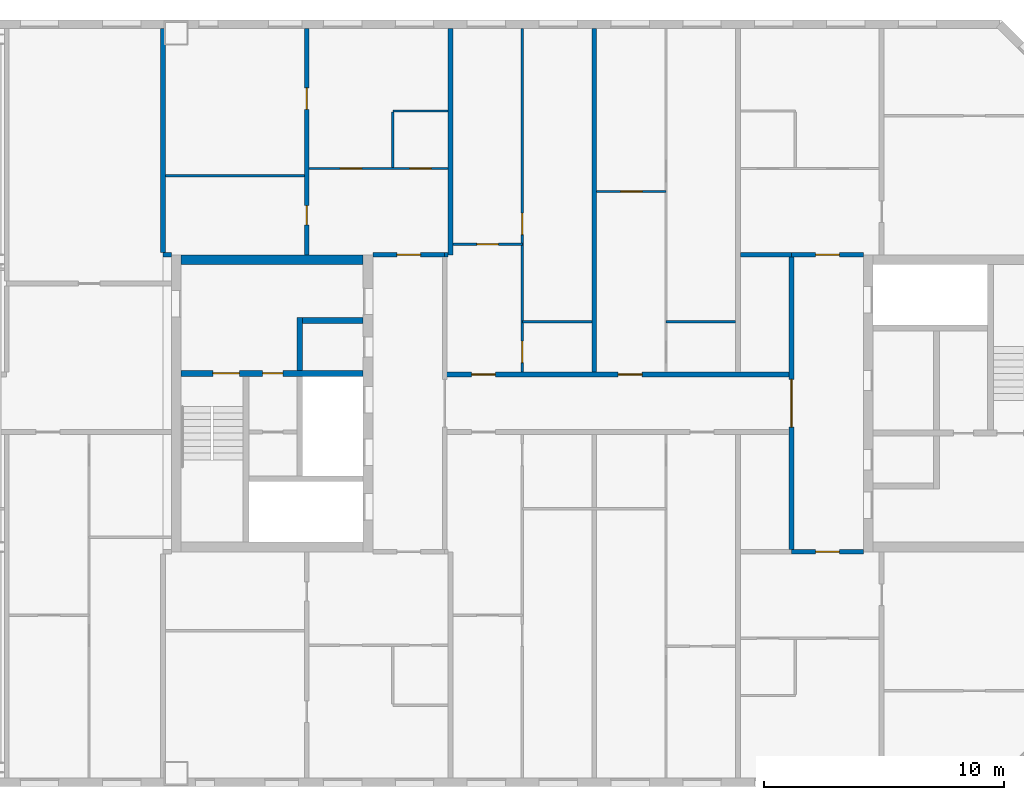
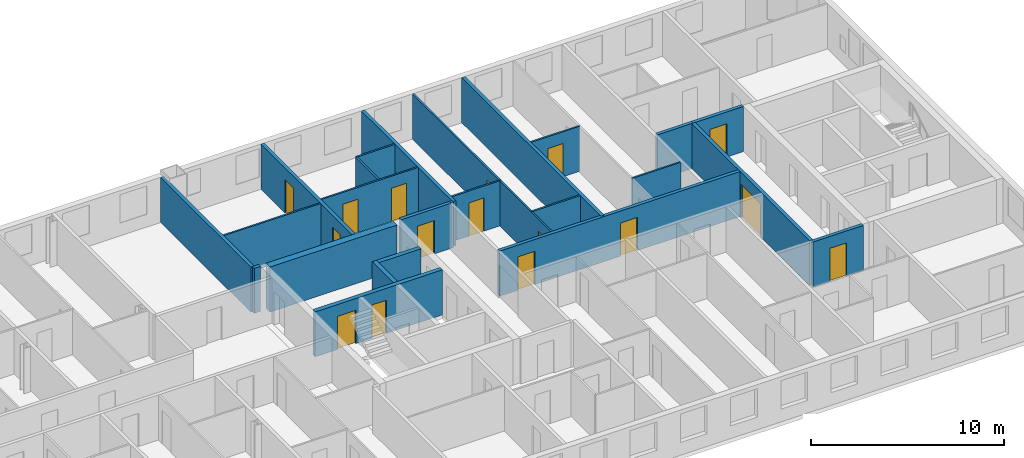
# One storey, part 15 of 19: 25 walls, 16 doors, 16 openings.
"""IFC4 building model written with IfcOpenShell, lengths in metres."""

from ifc_helpers import new_model, si_unit, direction, frame, frame_2d, origin, place, context, subcontext, project, spatial, rectangle, extrude, material, layer, layer_set, type_object, element, fill, save


model = new_model("IFC4")

# Units and contexts
model_context = context("Model", 3, precision=1e-05, world=origin(), true_north=direction((0.0, 1.0)))
body_context = subcontext(model_context, "Body", "Model", "MODEL_VIEW")
ifc_project = project(units=[si_unit("LENGTHUNIT", "METRE"), si_unit("AREAUNIT", "SQUARE_METRE"), si_unit("VOLUMEUNIT", "CUBIC_METRE"), si_unit("PLANEANGLEUNIT", "RADIAN"), si_unit("MASSUNIT", "GRAM", prefix="KILO")], contexts=[model_context])

# Site, building, storey
site_placement = place(None, origin())
site = spatial("IfcSite", under=ifc_project, at=site_placement, CompositionType="ELEMENT")
building_placement = place(site_placement, origin())
building = spatial("IfcBuilding", under=site, at=building_placement, Name="Tuart Gate Housing", CompositionType="ELEMENT")
storey_placement = place(building_placement, frame((0.0, 0.0, 205.89990234375)))
storey = spatial("IfcBuildingStorey", under=building, at=storey_placement, Name="L58", CompositionType="ELEMENT", Elevation=205.89990234375)

# Wall, openings, doors
ifc_material_1 = material(Name="Concrete C40", Category="concrete")
ifc_layer_1 = layer(ifc_material_1, 0.25)
ifc_layer_set_1 = layer_set([ifc_layer_1], Name="Core wall 250 C40")
wall_type_1 = type_object("IfcWallType", Name="Core wall 250 C40", PredefinedType="SHEAR", material=ifc_layer_set_1)
wall_1_placement = place(storey_placement, frame((139.360107421875, 71.25, 0.0), z_axis=(0.0, 0.0, 1.0), x_axis=(-1.0, 0.0, 0.0)))
wall_1 = element("IfcWall", 1, at=wall_1_placement, inside=storey, type_object=wall_type_1, Name="Core wall BG.3", PredefinedType="SHEAR", context=body_context, shape_type="SweptSolid", body=[
    extrude(rectangle(XDim=7.60009765625, YDim=0.25, at=frame_2d((3.800048828125, 0.0))), origin(), (0.0, 0.0, 1.0), 2.85009765625),
])
opening_1_placement = place(wall_1_placement, frame((5.175048828125, 0.0, 0.0)))
opening_1 = element("IfcOpeningElement", 2, at=opening_1_placement, cuts=wall_1, Name="Opening D2077", PredefinedType="OPENING", context=body_context, shape_type="SweptSolid", body=[
    extrude(rectangle(XDim=1.10009765625, YDim=2.10009765625, at=frame_2d((0.550048828125, 1.050048828125))), frame((0.0, 0.135009765625, 0.0), z_axis=(0.0, -1.0, 0.0), x_axis=(1.0, 0.0, 0.0)), (0.0, 0.0, 1.0), 0.27001953125),
])
opening_2_placement = place(wall_1_placement, frame((3.35009765625, 0.0, 0.0)))
opening_2 = element("IfcOpeningElement", 3, at=opening_2_placement, cuts=wall_1, Name="Opening D2076", PredefinedType="OPENING", context=body_context, shape_type="SweptSolid", body=[
    extrude(rectangle(XDim=0.85009765625, YDim=2.10009765625, at=frame_2d((0.425048828125, 1.050048828125))), frame((0.0, 0.135009765625, 0.0), z_axis=(0.0, -1.0, 0.0), x_axis=(1.0, 0.0, 0.0)), (0.0, 0.0, 1.0), 0.27001953125),
])
ifc_material_2 = material(Name="Steel fire door", Category="steel")
door_type_1 = type_object("IfcDoorType", Name="Riser door 850 x 2100", OperationType="SINGLE_SWING_LEFT", PredefinedType="DOOR", material=ifc_material_2)
door_1_placement = place(opening_2_placement, origin())
door_1 = element("IfcDoor", 4, at=door_1_placement, inside=storey, type_object=door_type_1, Name="Service room door BG.W1", OperationType="SINGLE_SWING_LEFT", OverallHeight=2.10009765625, OverallWidth=0.85009765625, PredefinedType="DOOR", context=body_context, shape_type="SweptSolid", body=[
    extrude(rectangle(XDim=0.85009765625, YDim=2.10009765625, at=frame_2d((0.425048828125, 1.050048828125))), frame((0.0, 0.02490234375, 0.0), z_axis=(0.0, -1.0, 0.0), x_axis=(1.0, 0.0, 0.0)), (0.0, 0.0, 1.0), 0.050048828125),
])
fill(opening_2, door_1)
ifc_material_3 = material(Name="Steel fire door", Category="steel")
door_type_2 = type_object("IfcDoorType", Name="Stair door 1100 x 2100", OperationType="SINGLE_SWING_LEFT", PredefinedType="DOOR", material=ifc_material_3)
door_2_placement = place(opening_1_placement, origin())
door_2 = element("IfcDoor", 5, at=door_2_placement, inside=storey, type_object=door_type_2, Name="Stair door BG.SD", OperationType="SINGLE_SWING_LEFT", OverallHeight=2.10009765625, OverallWidth=1.10009765625, PredefinedType="DOOR", context=body_context, shape_type="SweptSolid", body=[
    extrude(rectangle(XDim=1.10009765625, YDim=2.10009765625, at=frame_2d((0.550048828125, 1.050048828125))), frame((0.0, 0.02490234375, 0.0), z_axis=(0.0, -1.0, 0.0), x_axis=(1.0, 0.0, 0.0)), (0.0, 0.0, 1.0), 0.050048828125),
])
fill(opening_1, door_2)

# Walls
wall_2_placement = place(storey_placement, frame((139.360107421875, 73.449951171875, 0.0), z_axis=(0.0, 0.0, 1.0), x_axis=(-1.0, 0.0, 0.0)))
element("IfcWall", 6, at=wall_2_placement, inside=storey, type_object=wall_type_1, Name="Core wall BG.4", PredefinedType="SHEAR", context=body_context, shape_type="SweptSolid", body=[
    extrude(rectangle(XDim=2.525146484375, YDim=0.25, at=frame_2d((1.2626953125, 0.0))), origin(), (0.0, 0.0, 1.0), 2.85009765625),
])
wall_3_placement = place(storey_placement, frame((136.7099609375, 71.375, 0.0), z_axis=(0.0, 0.0, 1.0), x_axis=(0.0, 1.0, 0.0)))
element("IfcWall", 7, at=wall_3_placement, inside=storey, type_object=wall_type_1, Name="Core wall BG.6", PredefinedType="SHEAR", context=body_context, shape_type="SweptSolid", body=[
    extrude(rectangle(XDim=2.199951171875, YDim=0.25, at=frame_2d((1.10009765625, 0.0))), origin(), (0.0, 0.0, 1.0), 2.85009765625),
])
ifc_material_4 = material(Name="Concrete C40", Category="concrete")
ifc_layer_2 = layer(ifc_material_4, 0.39990234375)
ifc_layer_set_2 = layer_set([ifc_layer_2], Name="Core wall 400 C40")
wall_type_2 = type_object("IfcWallType", Name="Core wall 400 C40", PredefinedType="SHEAR", material=ifc_layer_set_2)
wall_4_placement = place(storey_placement, frame((139.360107421875, 76.0, 0.0), z_axis=(0.0, 0.0, 1.0), x_axis=(-1.0, 0.0, 0.0)))
element("IfcWall", 8, at=wall_4_placement, inside=storey, type_object=wall_type_2, Name="Core wall BG north", PredefinedType="SHEAR", context=body_context, shape_type="SweptSolid", body=[
    extrude(rectangle(XDim=7.60009765625, YDim=0.39990234375, at=frame_2d((3.800048828125, 0.0))), origin(), (0.0, 0.0, 1.0), 2.85009765625),
])

# Wall, openings, doors
ifc_material_5 = material(Name="Concrete masonry 15 MPa", Category="masonry")
ifc_layer_3 = layer(ifc_material_5, 0.199951171875)
ifc_layer_set_3 = layer_set([ifc_layer_3], Name="Corridor wall masonry 200")
wall_type_3 = type_object("IfcWallType", Name="Corridor wall masonry 200", PredefinedType="PARTITIONING", material=ifc_layer_set_3)
wall_5_placement = place(storey_placement, frame((142.760009765625, 71.199951171875, 0.0), z_axis=(0.0, 0.0, 1.0), x_axis=(1.0, 0.0, 0.0)))
wall_5 = element("IfcWall", 9, at=wall_5_placement, inside=storey, type_object=wall_type_3, Name="Corridor wall masonry 200", PredefinedType="PARTITIONING", context=body_context, shape_type="SweptSolid", body=[
    extrude(rectangle(XDim=14.47998046875, YDim=0.199951171875, at=frame_2d((7.239990234375, 0.0))), origin(), (0.0, 0.0, 1.0), 2.85009765625),
])
opening_3_placement = place(wall_5_placement, frame((1.1201171875, 0.0, 0.0)))
opening_3 = element("IfcOpeningElement", 10, at=opening_3_placement, cuts=wall_5, Name="Opening D2078", PredefinedType="OPENING", context=body_context, shape_type="SweptSolid", body=[
    extrude(rectangle(XDim=1.0, YDim=2.10009765625, at=frame_2d((0.5, 1.050048828125))), frame((0.0, 0.10986328125, 0.0), z_axis=(0.0, -1.0, 0.0), x_axis=(1.0, 0.0, 0.0)), (0.0, 0.0, 1.0), 0.219970703125),
])
opening_4_placement = place(wall_5_placement, frame((7.239990234375, 0.0, 0.0)))
opening_4 = element("IfcOpeningElement", 11, at=opening_4_placement, cuts=wall_5, Name="Opening D2079", PredefinedType="OPENING", context=body_context, shape_type="SweptSolid", body=[
    extrude(rectangle(XDim=1.0, YDim=2.10009765625, at=frame_2d((0.5, 1.050048828125))), frame((0.0, 0.10986328125, 0.0), z_axis=(0.0, -1.0, 0.0), x_axis=(1.0, 0.0, 0.0)), (0.0, 0.0, 1.0), 0.219970703125),
])
ifc_material_6 = material(Name="Timber door leaf in steel frame", Category="steel")
door_type_3 = type_object("IfcDoorType", Name="Flat entrance door 1000", OperationType="SINGLE_SWING_LEFT", PredefinedType="DOOR", material=ifc_material_6)
door_3_placement = place(opening_3_placement, origin())
door_3 = element("IfcDoor", 12, at=door_3_placement, inside=storey, type_object=door_type_3, Name="Flat entrance door", OperationType="SINGLE_SWING_LEFT", OverallHeight=2.10009765625, OverallWidth=1.0, PredefinedType="DOOR", context=body_context, shape_type="SweptSolid", body=[
    extrude(rectangle(XDim=1.0, YDim=2.10009765625, at=frame_2d((0.5, 1.050048828125))), frame((0.0, 0.02490234375, 0.0), z_axis=(0.0, -1.0, 0.0), x_axis=(1.0, 0.0, 0.0)), (0.0, 0.0, 1.0), 0.050048828125),
])
fill(opening_3, door_3)
door_4_placement = place(opening_4_placement, origin())
door_4 = element("IfcDoor", 13, at=door_4_placement, inside=storey, type_object=door_type_3, Name="Flat entrance door", OperationType="SINGLE_SWING_LEFT", OverallHeight=2.10009765625, OverallWidth=1.0, PredefinedType="DOOR", context=body_context, shape_type="SweptSolid", body=[
    extrude(rectangle(XDim=1.0, YDim=2.10009765625, at=frame_2d((0.5, 1.050048828125))), frame((0.0, 0.02490234375, 0.0), z_axis=(0.0, -1.0, 0.0), x_axis=(1.0, 0.0, 0.0)), (0.0, 0.0, 1.0), 0.050048828125),
])
fill(opening_4, door_4)

# Wall, opening, door
ifc_material_7 = material(Name="Concrete masonry 15 MPa", Category="masonry")
ifc_layer_4 = layer(ifc_material_7, 0.199951171875)
ifc_layer_set_4 = layer_set([ifc_layer_4], Name="Enclosure wall masonry 200")
wall_type_4 = type_object("IfcWallType", Name="Enclosure wall masonry 200", PredefinedType="PARTITIONING", material=ifc_layer_set_4)
wall_6_placement = place(storey_placement, frame((157.239990234375, 63.800048828125, 0.0), z_axis=(0.0, 0.0, 1.0), x_axis=(1.0, 0.0, 0.0)))
wall_6 = element("IfcWall", 14, at=wall_6_placement, inside=storey, type_object=wall_type_4, Name="Enclosure wall masonry 200", PredefinedType="PARTITIONING", context=body_context, shape_type="SweptSolid", body=[
    extrude(rectangle(XDim=3.0, YDim=0.199951171875, at=frame_2d((1.5, 0.0))), origin(), (0.0, 0.0, 1.0), 2.85009765625),
])
opening_5_placement = place(wall_6_placement, frame((1.0, 0.0, 0.0)))
opening_5 = element("IfcOpeningElement", 15, at=opening_5_placement, cuts=wall_6, Name="Opening D2094", PredefinedType="OPENING", context=body_context, shape_type="SweptSolid", body=[
    extrude(rectangle(XDim=1.0, YDim=2.10009765625, at=frame_2d((0.5, 1.050048828125))), frame((0.0, 0.10986328125, 0.0), z_axis=(0.0, -1.0, 0.0), x_axis=(1.0, 0.0, 0.0)), (0.0, 0.0, 1.0), 0.219970703125),
])
door_5_placement = place(opening_5_placement, frame((1.0, 0.0, 0.0), z_axis=(0.0, 0.0, 1.0), x_axis=(-1.0, 0.0, 0.0)))
door_5 = element("IfcDoor", 16, at=door_5_placement, inside=storey, type_object=door_type_3, Name="Flat entrance door", OperationType="SINGLE_SWING_LEFT", OverallHeight=2.10009765625, OverallWidth=1.0, PredefinedType="DOOR", context=body_context, shape_type="SweptSolid", body=[
    extrude(rectangle(XDim=1.0, YDim=2.10009765625, at=frame_2d((0.5, 1.050048828125))), frame((0.0, 0.025146484375, 0.0), z_axis=(0.0, -1.0, 0.0), x_axis=(1.0, 0.0, 0.0)), (0.0, 0.0, 1.0), 0.050048828125),
])
fill(opening_5, door_5)

wall_7_placement = place(storey_placement, frame((139.760009765625, 76.199951171875, 0.0), z_axis=(0.0, 0.0, 1.0), x_axis=(1.0, 0.0, 0.0)))
wall_7 = element("IfcWall", 17, at=wall_7_placement, inside=storey, type_object=wall_type_4, Name="Enclosure wall masonry 200", PredefinedType="PARTITIONING", context=body_context, shape_type="SweptSolid", body=[
    extrude(rectangle(XDim=3.0, YDim=0.199951171875, at=frame_2d((1.5, 0.0))), origin(), (0.0, 0.0, 1.0), 2.85009765625),
])
opening_6_placement = place(wall_7_placement, frame((1.0, 0.0, 0.0)))
opening_6 = element("IfcOpeningElement", 18, at=opening_6_placement, cuts=wall_7, Name="Opening D2074", PredefinedType="OPENING", context=body_context, shape_type="SweptSolid", body=[
    extrude(rectangle(XDim=1.0, YDim=2.10009765625, at=frame_2d((0.5, 1.050048828125))), frame((0.0, 0.10986328125, 0.0), z_axis=(0.0, -1.0, 0.0), x_axis=(1.0, 0.0, 0.0)), (0.0, 0.0, 1.0), 0.219970703125),
])
ifc_material_8 = material(Name="Timber door leaf in steel frame", Category="steel")
door_type_4 = type_object("IfcDoorType", Name="Flat entrance door 1000 RH", OperationType="SINGLE_SWING_RIGHT", PredefinedType="DOOR", material=ifc_material_8)
door_6_placement = place(opening_6_placement, origin())
door_6 = element("IfcDoor", 19, at=door_6_placement, inside=storey, type_object=door_type_4, Name="Flat entrance door", OperationType="SINGLE_SWING_RIGHT", OverallHeight=2.10009765625, OverallWidth=1.0, PredefinedType="DOOR", context=body_context, shape_type="SweptSolid", body=[
    extrude(rectangle(XDim=1.0, YDim=2.10009765625, at=frame_2d((0.5, 1.050048828125))), frame((0.0, 0.02490234375, 0.0), z_axis=(0.0, -1.0, 0.0), x_axis=(1.0, 0.0, 0.0)), (0.0, 0.0, 1.0), 0.050048828125),
])
fill(opening_6, door_6)

wall_8_placement = place(storey_placement, frame((157.239990234375, 76.199951171875, 0.0), z_axis=(0.0, 0.0, 1.0), x_axis=(1.0, 0.0, 0.0)))
wall_8 = element("IfcWall", 20, at=wall_8_placement, inside=storey, type_object=wall_type_4, Name="Enclosure wall masonry 200", PredefinedType="PARTITIONING", context=body_context, shape_type="SweptSolid", body=[
    extrude(rectangle(XDim=3.0, YDim=0.199951171875, at=frame_2d((1.5, 0.0))), origin(), (0.0, 0.0, 1.0), 2.85009765625),
])
opening_7_placement = place(wall_8_placement, frame((1.0, 0.0, 0.0)))
opening_7 = element("IfcOpeningElement", 21, at=opening_7_placement, cuts=wall_8, Name="Opening D2075", PredefinedType="OPENING", context=body_context, shape_type="SweptSolid", body=[
    extrude(rectangle(XDim=1.0, YDim=2.10009765625, at=frame_2d((0.5, 1.050048828125))), frame((0.0, 0.10986328125, 0.0), z_axis=(0.0, -1.0, 0.0), x_axis=(1.0, 0.0, 0.0)), (0.0, 0.0, 1.0), 0.219970703125),
])
door_7_placement = place(opening_7_placement, origin())
door_7 = element("IfcDoor", 22, at=door_7_placement, inside=storey, type_object=door_type_4, Name="Flat entrance door", OperationType="SINGLE_SWING_RIGHT", OverallHeight=2.10009765625, OverallWidth=1.0, PredefinedType="DOOR", context=body_context, shape_type="SweptSolid", body=[
    extrude(rectangle(XDim=1.0, YDim=2.10009765625, at=frame_2d((0.5, 1.050048828125))), frame((0.0, 0.02490234375, 0.0), z_axis=(0.0, -1.0, 0.0), x_axis=(1.0, 0.0, 0.0)), (0.0, 0.0, 1.0), 0.050048828125),
])
fill(opening_7, door_7)

ifc_material_9 = material(Name="Plasterboard partition")
ifc_layer_5 = layer(ifc_material_9, 0.199951171875)
ifc_layer_set_5 = layer_set([ifc_layer_5], Name="Lobby wall 200")
wall_type_5 = type_object("IfcWallType", Name="Lobby wall 200", PredefinedType="PARTITIONING", material=ifc_layer_set_5)
wall_9_placement = place(storey_placement, frame((157.239990234375, 63.89990234375, 0.0), z_axis=(0.0, 0.0, 1.0), x_axis=(0.0, 1.0, 0.0)))
wall_9 = element("IfcWall", 23, at=wall_9_placement, inside=storey, type_object=wall_type_5, Name="Lift lobby wall BK", PredefinedType="PARTITIONING", context=body_context, shape_type="SweptSolid", body=[
    extrude(rectangle(XDim=12.2001953125, YDim=0.199951171875, at=frame_2d((6.10009765625, 0.0))), origin(), (0.0, 0.0, 1.0), 2.85009765625),
])
opening_8_placement = place(wall_9_placement, frame((5.10009765625, 0.0, 0.0)))
opening_8 = element("IfcOpeningElement", 24, at=opening_8_placement, cuts=wall_9, Name="Opening D2084", PredefinedType="OPENING", context=body_context, shape_type="SweptSolid", body=[
    extrude(rectangle(XDim=2.0, YDim=2.10009765625, at=frame_2d((1.0, 1.050048828125))), frame((0.0, 0.10986328125, 0.0), z_axis=(0.0, -1.0, 0.0), x_axis=(1.0, 0.0, 0.0)), (0.0, 0.0, 1.0), 0.219970703125),
])
ifc_material_10 = material(Name="Steel fire door", Category="steel")
door_type_5 = type_object("IfcDoorType", Name="Smoke door 2000 x 2100", OperationType="DOUBLE_DOOR_SINGLE_SWING", PredefinedType="DOOR", material=ifc_material_10)
door_8_placement = place(opening_8_placement, frame((2.0, 0.0, 0.0), z_axis=(0.0, 0.0, 1.0), x_axis=(-1.0, 0.0, 0.0)))
door_8 = element("IfcDoor", 25, at=door_8_placement, inside=storey, type_object=door_type_5, Name="Lift lobby smoke door BK", OperationType="DOUBLE_DOOR_SINGLE_SWING", OverallHeight=2.10009765625, OverallWidth=2.0, PredefinedType="DOOR", context=body_context, shape_type="SweptSolid", body=[
    extrude(rectangle(XDim=2.0, YDim=2.10009765625, at=frame_2d((1.0, 1.050048828125))), frame((0.0, 0.025146484375, 0.0), z_axis=(0.0, -1.0, 0.0), x_axis=(1.0, 0.0, 0.0)), (0.0, 0.0, 1.0), 0.050048828125),
])
fill(opening_8, door_8)

# Walls
ifc_material_11 = material(Name="Gypsum board on steel studs", Category="steel")
ifc_layer_6 = layer(ifc_material_11, 0.10009765625)
ifc_layer_set_6 = layer_set([ifc_layer_6], Name="Partition 100")
wall_type_6 = type_object("IfcWallType", Name="Partition 100", PredefinedType="PARTITIONING", material=ifc_layer_set_6)
for number, where, z_axis, x_axis, name in (
    (26, (146.0, 73.39990234375, 0.0), (0.0, 0.0, 1.0), (1.0, 0.0, 0.0), "Partition 100"),
    (27, (152.0, 73.39990234375, 0.0), (0.0, 0.0, 1.0), (1.0, 0.0, 0.0), "Partition 100"),
):
    element("IfcWall", number, at=place(storey_placement, frame(where, z_axis=z_axis, x_axis=x_axis)), inside=storey, type_object=wall_type_6, Name=name, PredefinedType="PARTITIONING", context=body_context, shape_type="SweptSolid", body=[
        extrude(rectangle(XDim=2.89990234375, YDim=0.10009765625, at=frame_2d((1.449951171875, 0.0))), origin(), (0.0, 0.0, 1.0), 2.85009765625),
    ])

# Wall, opening, door
wall_10_placement = place(storey_placement, frame((143.10009765625, 76.639892578125, 0.0), z_axis=(0.0, 0.0, 1.0), x_axis=(1.0, 0.0, 0.0)))
wall_10 = element("IfcWall", 28, at=wall_10_placement, inside=storey, type_object=wall_type_6, Name="Partition 100", PredefinedType="PARTITIONING", context=body_context, shape_type="SweptSolid", body=[
    extrude(rectangle(XDim=2.89990234375, YDim=0.10009765625, at=frame_2d((1.449951171875, 0.0))), origin(), (0.0, 0.0, 1.0), 2.85009765625),
])
opening_9_placement = place(wall_10_placement, frame((1.0, 0.0, 0.0)))
opening_9 = element("IfcOpeningElement", 29, at=opening_9_placement, cuts=wall_10, Name="Opening D2073", PredefinedType="OPENING", context=body_context, shape_type="SweptSolid", body=[
    extrude(rectangle(XDim=0.89990234375, YDim=2.10009765625, at=frame_2d((0.449951171875, 1.050048828125))), frame((0.0, 0.06005859375, 0.0), z_axis=(0.0, -1.0, 0.0), x_axis=(1.0, 0.0, 0.0)), (0.0, 0.0, 1.0), 0.1201171875),
])
ifc_material_12 = material(Name="Timber door leaf in steel frame", Category="steel")
door_type_6 = type_object("IfcDoorType", Name="Internal door 900", OperationType="SINGLE_SWING_LEFT", PredefinedType="DOOR", material=ifc_material_12)
door_9_placement = place(opening_9_placement, frame((0.89990234375, 0.0, 0.0), z_axis=(0.0, 0.0, 1.0), x_axis=(-1.0, 0.0, 0.0)))
door_9 = element("IfcDoor", 30, at=door_9_placement, inside=storey, type_object=door_type_6, Name="Internal door", OperationType="SINGLE_SWING_LEFT", OverallHeight=2.10009765625, OverallWidth=0.89990234375, PredefinedType="DOOR", context=body_context, shape_type="SweptSolid", body=[
    extrude(rectangle(XDim=0.89990234375, YDim=2.10009765625, at=frame_2d((0.449951171875, 1.050048828125))), frame((0.0, 0.025146484375, 0.0), z_axis=(0.0, -1.0, 0.0), x_axis=(1.0, 0.0, 0.0)), (0.0, 0.0, 1.0), 0.050048828125),
])
fill(opening_9, door_9)

wall_11_placement = place(storey_placement, frame((149.10009765625, 78.840087890625, 0.0), z_axis=(0.0, 0.0, 1.0), x_axis=(1.0, 0.0, 0.0)))
wall_11 = element("IfcWall", 31, at=wall_11_placement, inside=storey, type_object=wall_type_6, Name="Partition 100", PredefinedType="PARTITIONING", context=body_context, shape_type="SweptSolid", body=[
    extrude(rectangle(XDim=2.89990234375, YDim=0.10009765625, at=frame_2d((1.449951171875, 0.0))), origin(), (0.0, 0.0, 1.0), 2.85009765625),
])
opening_10_placement = place(wall_11_placement, frame((1.0, 0.0, 0.0)))
opening_10 = element("IfcOpeningElement", 32, at=opening_10_placement, cuts=wall_11, Name="Opening D2068", PredefinedType="OPENING", context=body_context, shape_type="SweptSolid", body=[
    extrude(rectangle(XDim=0.89990234375, YDim=2.10009765625, at=frame_2d((0.449951171875, 1.050048828125))), frame((0.0, 0.06005859375, 0.0), z_axis=(0.0, -1.0, 0.0), x_axis=(1.0, 0.0, 0.0)), (0.0, 0.0, 1.0), 0.1201171875),
])
door_10_placement = place(opening_10_placement, frame((0.89990234375, 0.0, 0.0), z_axis=(0.0, 0.0, 1.0), x_axis=(-1.0, 0.0, 0.0)))
door_10 = element("IfcDoor", 33, at=door_10_placement, inside=storey, type_object=door_type_6, Name="Internal door", OperationType="SINGLE_SWING_LEFT", OverallHeight=2.10009765625, OverallWidth=0.89990234375, PredefinedType="DOOR", context=body_context, shape_type="SweptSolid", body=[
    extrude(rectangle(XDim=0.89990234375, YDim=2.10009765625, at=frame_2d((0.449951171875, 1.050048828125))), frame((0.0, 0.025146484375, 0.0), z_axis=(0.0, -1.0, 0.0), x_axis=(1.0, 0.0, 0.0)), (0.0, 0.0, 1.0), 0.050048828125),
])
fill(opening_10, door_10)

# Wall
wall_12_placement = place(storey_placement, frame((131.10009765625, 79.5, 0.0), z_axis=(0.0, 0.0, 1.0), x_axis=(1.0, 0.0, 0.0)))
element("IfcWall", 34, at=wall_12_placement, inside=storey, type_object=wall_type_6, Name="Partition 100", PredefinedType="PARTITIONING", context=body_context, shape_type="SweptSolid", body=[
    extrude(rectangle(XDim=5.7998046875, YDim=0.10009765625, at=frame_2d((2.89990234375, 0.0))), origin(), (0.0, 0.0, 1.0), 2.85009765625),
])

# Wall, openings, doors
wall_13_placement = place(storey_placement, frame((137.10009765625, 79.800048828125, 0.0), z_axis=(0.0, 0.0, 1.0), x_axis=(1.0, 0.0, 0.0)))
wall_13 = element("IfcWall", 35, at=wall_13_placement, inside=storey, type_object=wall_type_6, Name="Partition 100", PredefinedType="PARTITIONING", context=body_context, shape_type="SweptSolid", body=[
    extrude(rectangle(XDim=5.7998046875, YDim=0.10009765625, at=frame_2d((2.89990234375, 0.0))), origin(), (0.0, 0.0, 1.0), 2.85009765625),
])
opening_11_placement = place(wall_13_placement, frame((1.300048828125, 0.0, 0.0)))
opening_11 = element("IfcOpeningElement", 36, at=opening_11_placement, cuts=wall_13, Name="Opening D2065", PredefinedType="OPENING", context=body_context, shape_type="SweptSolid", body=[
    extrude(rectangle(XDim=0.89990234375, YDim=2.10009765625, at=frame_2d((0.449951171875, 1.050048828125))), frame((0.0, 0.06005859375, 0.0), z_axis=(0.0, -1.0, 0.0), x_axis=(1.0, 0.0, 0.0)), (0.0, 0.0, 1.0), 0.1201171875),
])
opening_12_placement = place(wall_13_placement, frame((4.199951171875, 0.0, 0.0)))
opening_12 = element("IfcOpeningElement", 37, at=opening_12_placement, cuts=wall_13, Name="Opening D2064", PredefinedType="OPENING", context=body_context, shape_type="SweptSolid", body=[
    extrude(rectangle(XDim=0.89990234375, YDim=2.10009765625, at=frame_2d((0.449951171875, 1.050048828125))), frame((0.0, 0.06005859375, 0.0), z_axis=(0.0, -1.0, 0.0), x_axis=(1.0, 0.0, 0.0)), (0.0, 0.0, 1.0), 0.1201171875),
])
ifc_material_13 = material(Name="Timber door leaf in steel frame", Category="steel")
door_type_7 = type_object("IfcDoorType", Name="Bathroom door 900", OperationType="SINGLE_SWING_LEFT", PredefinedType="DOOR", material=ifc_material_13)
door_11_placement = place(opening_12_placement, origin())
door_11 = element("IfcDoor", 38, at=door_11_placement, inside=storey, type_object=door_type_7, Name="Bathroom door", OperationType="SINGLE_SWING_LEFT", OverallHeight=2.10009765625, OverallWidth=0.89990234375, PredefinedType="DOOR", context=body_context, shape_type="SweptSolid", body=[
    extrude(rectangle(XDim=0.89990234375, YDim=2.10009765625, at=frame_2d((0.449951171875, 1.050048828125))), frame((0.0, 0.02490234375, 0.0), z_axis=(0.0, -1.0, 0.0), x_axis=(1.0, 0.0, 0.0)), (0.0, 0.0, 1.0), 0.050048828125),
])
fill(opening_12, door_11)
ifc_material_14 = material(Name="Timber door leaf in steel frame", Category="steel")
door_type_8 = type_object("IfcDoorType", Name="Internal door 900 RH", OperationType="SINGLE_SWING_RIGHT", PredefinedType="DOOR", material=ifc_material_14)
door_12_placement = place(opening_11_placement, frame((0.89990234375, 0.0, 0.0), z_axis=(0.0, 0.0, 1.0), x_axis=(-1.0, 0.0, 0.0)))
door_12 = element("IfcDoor", 39, at=door_12_placement, inside=storey, type_object=door_type_8, Name="Internal door", OperationType="SINGLE_SWING_RIGHT", OverallHeight=2.10009765625, OverallWidth=0.89990234375, PredefinedType="DOOR", context=body_context, shape_type="SweptSolid", body=[
    extrude(rectangle(XDim=0.89990234375, YDim=2.10009765625, at=frame_2d((0.449951171875, 1.050048828125))), frame((0.0, 0.025146484375, 0.0), z_axis=(0.0, -1.0, 0.0), x_axis=(1.0, 0.0, 0.0)), (0.0, 0.0, 1.0), 0.050048828125),
])
fill(opening_11, door_12)

# Walls
for number, where, z_axis, x_axis, name in (
    (40, (140.60009765625, 82.199951171875, 0.0), (0.0, 0.0, 1.0), (1.0, 0.0, 0.0), "Partition 100"),
    (41, (140.60009765625, 79.85009765625, 0.0), (0.0, 0.0, 1.0), (0.0, 1.0, 0.0), "Partition 100"),
):
    element("IfcWall", number, at=place(storey_placement, frame(where, z_axis=z_axis, x_axis=x_axis)), inside=storey, type_object=wall_type_6, Name=name, PredefinedType="PARTITIONING", context=body_context, shape_type="SweptSolid", body=[
        extrude(rectangle(XDim=2.2998046875, YDim=0.10009765625, at=frame_2d((1.14990234375, 0.0))), origin(), (0.0, 0.0, 1.0), 2.85009765625),
    ])

# Wall, openings, doors
wall_14_placement = place(storey_placement, frame((146.0, 71.300048828125, 0.0), z_axis=(0.0, 0.0, 1.0), x_axis=(0.0, 1.0, 0.0)))
wall_14 = element("IfcWall", 42, at=wall_14_placement, inside=storey, type_object=wall_type_6, Name="Partition 100", PredefinedType="PARTITIONING", context=body_context, shape_type="SweptSolid", body=[
    extrude(rectangle(XDim=14.33984375, YDim=0.10009765625, at=frame_2d((7.169921875, 0.0))), origin(), (0.0, 0.0, 1.0), 2.85009765625),
])
opening_13_placement = place(wall_14_placement, frame((5.739990234375, 0.0, 0.0)))
opening_13 = element("IfcOpeningElement", 43, at=opening_13_placement, cuts=wall_14, Name="Opening D2070", PredefinedType="OPENING", context=body_context, shape_type="SweptSolid", body=[
    extrude(rectangle(XDim=0.89990234375, YDim=2.10009765625, at=frame_2d((0.449951171875, 1.050048828125))), frame((0.0, 0.06005859375, 0.0), z_axis=(0.0, -1.0, 0.0), x_axis=(1.0, 0.0, 0.0)), (0.0, 0.0, 1.0), 0.1201171875),
])
opening_14_placement = place(wall_14_placement, frame((0.39990234375, 0.0, 0.0)))
opening_14 = element("IfcOpeningElement", 44, at=opening_14_placement, cuts=wall_14, Name="Opening D2069", PredefinedType="OPENING", context=body_context, shape_type="SweptSolid", body=[
    extrude(rectangle(XDim=0.89990234375, YDim=2.10009765625, at=frame_2d((0.449951171875, 1.050048828125))), frame((0.0, 0.06005859375, 0.0), z_axis=(0.0, -1.0, 0.0), x_axis=(1.0, 0.0, 0.0)), (0.0, 0.0, 1.0), 0.1201171875),
])
ifc_material_15 = material(Name="Timber door leaf in steel frame", Category="steel")
door_type_9 = type_object("IfcDoorType", Name="Bathroom door 900 RH", OperationType="SINGLE_SWING_RIGHT", PredefinedType="DOOR", material=ifc_material_15)
door_13_placement = place(opening_14_placement, frame((0.89990234375, 0.0, 0.0), z_axis=(0.0, 0.0, 1.0), x_axis=(-1.0, 0.0, 0.0)))
door_13 = element("IfcDoor", 45, at=door_13_placement, inside=storey, type_object=door_type_9, Name="Bathroom door", OperationType="SINGLE_SWING_RIGHT", OverallHeight=2.10009765625, OverallWidth=0.89990234375, PredefinedType="DOOR", context=body_context, shape_type="SweptSolid", body=[
    extrude(rectangle(XDim=0.89990234375, YDim=2.10009765625, at=frame_2d((0.449951171875, 1.050048828125))), frame((0.0, 0.025146484375, 0.0), z_axis=(0.0, -1.0, 0.0), x_axis=(1.0, 0.0, 0.0)), (0.0, 0.0, 1.0), 0.050048828125),
])
fill(opening_14, door_13)
door_14_placement = place(opening_13_placement, frame((0.89990234375, 0.0, 0.0), z_axis=(0.0, 0.0, 1.0), x_axis=(-1.0, 0.0, 0.0)))
door_14 = element("IfcDoor", 46, at=door_14_placement, inside=storey, type_object=door_type_8, Name="Internal door", OperationType="SINGLE_SWING_RIGHT", OverallHeight=2.10009765625, OverallWidth=0.89990234375, PredefinedType="DOOR", context=body_context, shape_type="SweptSolid", body=[
    extrude(rectangle(XDim=0.89990234375, YDim=2.10009765625, at=frame_2d((0.449951171875, 1.050048828125))), frame((0.0, 0.025146484375, 0.0), z_axis=(0.0, -1.0, 0.0), x_axis=(1.0, 0.0, 0.0)), (0.0, 0.0, 1.0), 0.050048828125),
])
fill(opening_13, door_14)

ifc_material_16 = material(Name="Concrete C40", Category="concrete")
ifc_layer_7 = layer(ifc_material_16, 0.199951171875)
ifc_layer_set_7 = layer_set([ifc_layer_7], Name="Party wall concrete C40 200")
wall_type_7 = type_object("IfcWallType", Name="Party wall concrete C40 200", PredefinedType="SOLIDWALL", material=ifc_layer_set_7)
wall_15_placement = place(storey_placement, frame((137.0, 76.199951171875, 0.0), z_axis=(0.0, 0.0, 1.0), x_axis=(0.0, 1.0, 0.0)))
wall_15 = element("IfcWall", 47, at=wall_15_placement, inside=storey, type_object=wall_type_7, Name="Party wall concrete C40 200", PredefinedType="SOLIDWALL", context=body_context, shape_type="SweptSolid", body=[
    extrude(rectangle(XDim=9.43994140625, YDim=0.199951171875, at=frame_2d((4.719970703125, 0.0))), origin(), (0.0, 0.0, 1.0), 2.85009765625),
])
opening_15_placement = place(wall_15_placement, frame((6.070068359375, 0.0, 0.0)))
opening_15 = element("IfcOpeningElement", 48, at=opening_15_placement, cuts=wall_15, Name="Opening D2061", PredefinedType="OPENING", context=body_context, shape_type="SweptSolid", body=[
    extrude(rectangle(XDim=0.89990234375, YDim=2.10009765625, at=frame_2d((0.449951171875, 1.050048828125))), frame((0.0, 0.10986328125, 0.0), z_axis=(0.0, -1.0, 0.0), x_axis=(1.0, 0.0, 0.0)), (0.0, 0.0, 1.0), 0.219970703125),
])
opening_16_placement = place(wall_15_placement, frame((1.25, 0.0, 0.0)))
opening_16 = element("IfcOpeningElement", 49, at=opening_16_placement, cuts=wall_15, Name="Opening D2062", PredefinedType="OPENING", context=body_context, shape_type="SweptSolid", body=[
    extrude(rectangle(XDim=0.800048828125, YDim=2.10009765625, at=frame_2d((0.39990234375, 1.050048828125))), frame((0.0, 0.10986328125, 0.0), z_axis=(0.0, -1.0, 0.0), x_axis=(1.0, 0.0, 0.0)), (0.0, 0.0, 1.0), 0.219970703125),
])
door_15_placement = place(opening_15_placement, origin())
door_15 = element("IfcDoor", 50, at=door_15_placement, inside=storey, type_object=door_type_8, Name="Internal door", OperationType="SINGLE_SWING_RIGHT", OverallHeight=2.10009765625, OverallWidth=0.89990234375, PredefinedType="DOOR", context=body_context, shape_type="SweptSolid", body=[
    extrude(rectangle(XDim=0.89990234375, YDim=2.10009765625, at=frame_2d((0.449951171875, 1.050048828125))), frame((0.0, 0.02490234375, 0.0), z_axis=(0.0, -1.0, 0.0), x_axis=(1.0, 0.0, 0.0)), (0.0, 0.0, 1.0), 0.050048828125),
])
fill(opening_15, door_15)
ifc_material_17 = material(Name="Timber door leaf in steel frame", Category="steel")
door_type_10 = type_object("IfcDoorType", Name="Store door 800", OperationType="SINGLE_SWING_LEFT", PredefinedType="DOOR", material=ifc_material_17)
door_16_placement = place(opening_16_placement, origin())
door_16 = element("IfcDoor", 51, at=door_16_placement, inside=storey, type_object=door_type_10, Name="Store door", OperationType="SINGLE_SWING_LEFT", OverallHeight=2.10009765625, OverallWidth=0.800048828125, PredefinedType="DOOR", context=body_context, shape_type="SweptSolid", body=[
    extrude(rectangle(XDim=0.800048828125, YDim=2.10009765625, at=frame_2d((0.39990234375, 1.050048828125))), frame((0.0, 0.02490234375, 0.0), z_axis=(0.0, -1.0, 0.0), x_axis=(1.0, 0.0, 0.0)), (0.0, 0.0, 1.0), 0.050048828125),
])
fill(opening_16, door_16)

# Walls
wall_16_placement = place(storey_placement, frame((143.0, 76.199951171875, 0.0), z_axis=(0.0, 0.0, 1.0), x_axis=(0.0, 1.0, 0.0)))
element("IfcWall", 52, at=wall_16_placement, inside=storey, type_object=wall_type_7, Name="Party wall concrete C40 200", PredefinedType="SOLIDWALL", context=body_context, shape_type="SweptSolid", body=[
    extrude(rectangle(XDim=9.43994140625, YDim=0.199951171875, at=frame_2d((4.719970703125, 0.0))), origin(), (0.0, 0.0, 1.0), 2.85009765625),
])
wall_17_placement = place(storey_placement, frame((149.0, 71.199951171875, 0.0), z_axis=(0.0, 0.0, 1.0), x_axis=(0.0, 1.0, 0.0)))
element("IfcWall", 53, at=wall_17_placement, inside=storey, type_object=wall_type_7, Name="Party wall concrete C40 200", PredefinedType="SOLIDWALL", context=body_context, shape_type="SweptSolid", body=[
    extrude(rectangle(XDim=14.43994140625, YDim=0.199951171875, at=frame_2d((7.219970703125, 0.0))), origin(), (0.0, 0.0, 1.0), 2.85009765625),
])
ifc_material_18 = material(Name="Concrete masonry 15 MPa", Category="masonry")
ifc_layer_8 = layer(ifc_material_18, 0.199951171875)
ifc_layer_set_8 = layer_set([ifc_layer_8], Name="Party wall masonry 200")
wall_type_8 = type_object("IfcWallType", Name="Party wall masonry 200", PredefinedType="PARTITIONING", material=ifc_layer_set_8)
wall_18_placement = place(storey_placement, frame((131.0, 76.199951171875, 0.0), z_axis=(0.0, 0.0, 1.0), x_axis=(1.0, 0.0, 0.0)))
element("IfcWall", 54, at=wall_18_placement, inside=storey, type_object=wall_type_8, Name="Party wall masonry 200", PredefinedType="PARTITIONING", context=body_context, shape_type="SweptSolid", body=[
    extrude(rectangle(XDim=0.360107421875, YDim=0.199951171875, at=frame_2d((0.18017578125, 0.0))), origin(), (0.0, 0.0, 1.0), 2.85009765625),
])
wall_19_placement = place(storey_placement, frame((142.760009765625, 76.199951171875, 0.0), z_axis=(0.0, 0.0, 1.0), x_axis=(1.0, 0.0, 0.0)))
element("IfcWall", 55, at=wall_19_placement, inside=storey, type_object=wall_type_8, Name="Party wall masonry 200", PredefinedType="PARTITIONING", context=body_context, shape_type="SweptSolid", body=[
    extrude(rectangle(XDim=0.139892578125, YDim=0.199951171875, at=frame_2d((0.06982421875, 0.0))), origin(), (0.0, 0.0, 1.0), 2.85009765625),
])
wall_20_placement = place(storey_placement, frame((155.10009765625, 76.199951171875, 0.0), z_axis=(0.0, 0.0, 1.0), x_axis=(1.0, 0.0, 0.0)))
element("IfcWall", 56, at=wall_20_placement, inside=storey, type_object=wall_type_8, Name="Party wall masonry 200", PredefinedType="PARTITIONING", context=body_context, shape_type="SweptSolid", body=[
    extrude(rectangle(XDim=2.139892578125, YDim=0.199951171875, at=frame_2d((1.06982421875, 0.0))), origin(), (0.0, 0.0, 1.0), 2.85009765625),
])
wall_21_placement = place(storey_placement, frame((131.0, 76.300048828125, 0.0), z_axis=(0.0, 0.0, 1.0), x_axis=(0.0, 1.0, 0.0)))
element("IfcWall", 57, at=wall_21_placement, inside=storey, type_object=wall_type_8, Name="Party wall masonry 200", PredefinedType="PARTITIONING", context=body_context, shape_type="SweptSolid", body=[
    extrude(rectangle(XDim=9.33984375, YDim=0.199951171875, at=frame_2d((4.669921875, 0.0))), origin(), (0.0, 0.0, 1.0), 2.85009765625),
])

save(model, "model.ifc")
